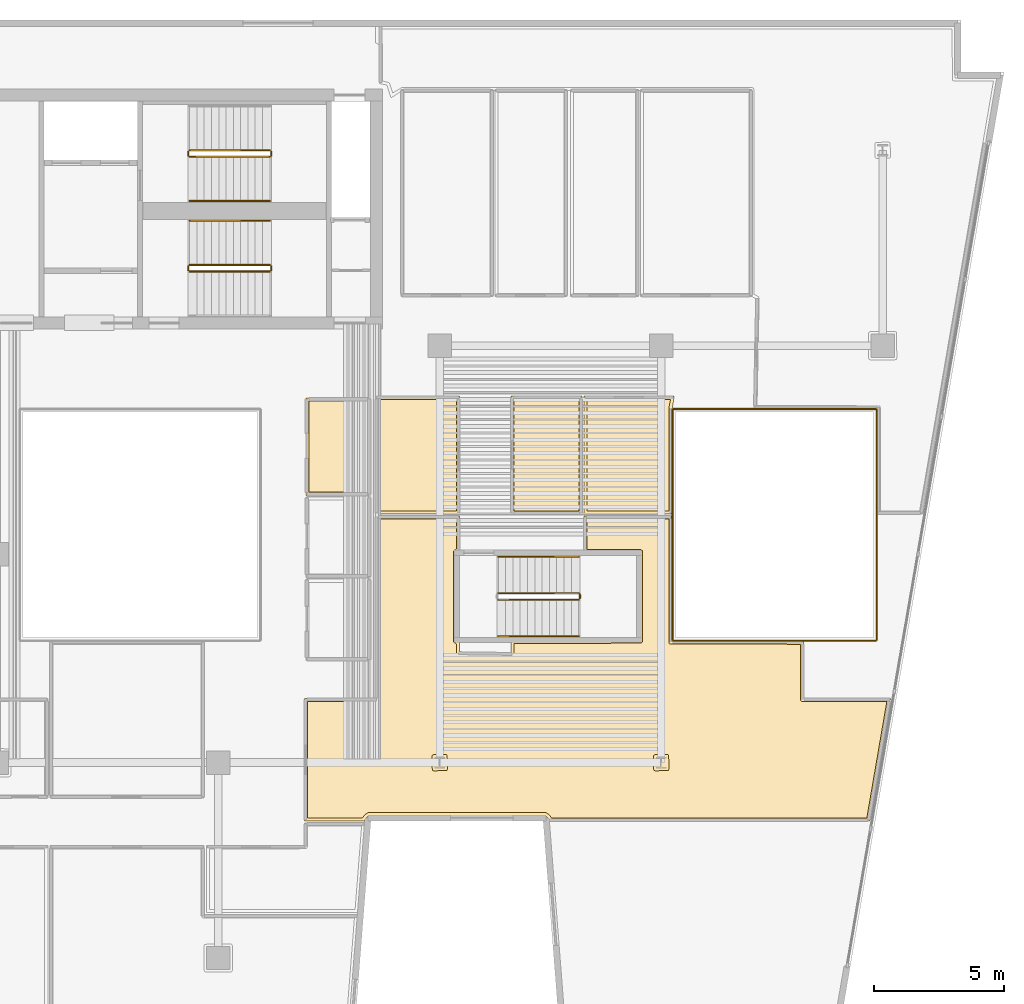
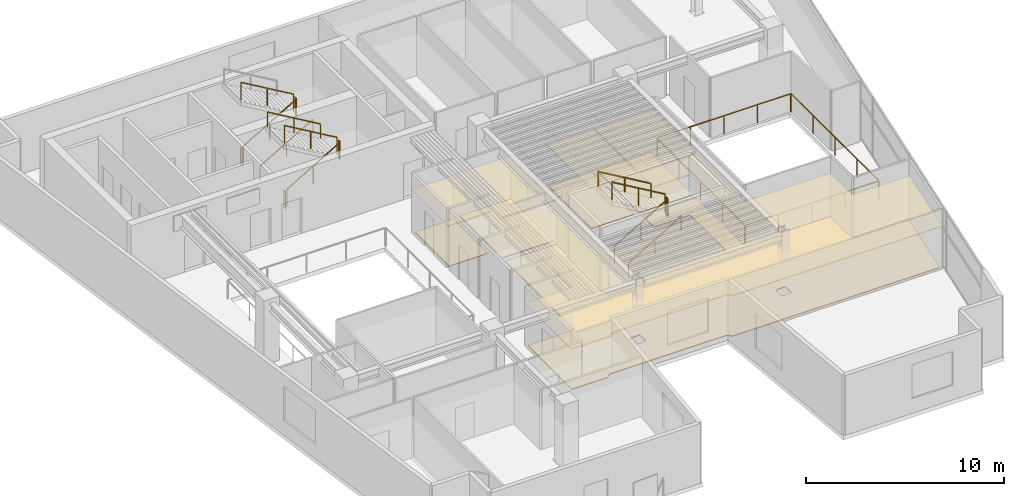
# One storey, part 9 of 10: 19 railings, 10 coverings.
"""IFC4 building model written with IfcOpenShell, lengths in metres."""

import ifcopenshell
import ifcopenshell.guid

model = None  # the IFC model being written
_history = None  # IfcOwnerHistory: only IFC2X3 demands one
_inside = {}  # id of a spatial element -> (the spatial element, [elements in it])
_under = {}  # id of a project, library or spatial element -> (it, [spatial elements below it])
_declared = {}  # id of a project -> (the project, [libraries it declares])
_typed = {}  # id of a type object -> (the type object, [elements of that type])
_made_of = {}  # id of a material, layer set ... -> (it, [elements and type objects made of it])


def new_model(schema):
    """Start an empty IFC model of exactly this schema.

    Asked for "IFC4X3", IfcOpenShell would pick the latest addendum, in which some entities
    have other attributes; the version numbers below select the first issue.
    IFC2X3 requires an IfcOwnerHistory on every rooted entity: one is made here for all.
    """
    global model, _history
    if schema == "IFC4X3":
        model = ifcopenshell.file(schema_version=(4, 3, 0, 0))
    else:
        model = ifcopenshell.file(schema=schema)
    _inside.clear()
    _under.clear()
    _declared.clear()
    _typed.clear()
    _made_of.clear()
    _history = None
    if model.schema == "IFC2X3":
        org = make("IfcOrganization", Name="unknown")
        user = make(
            "IfcPersonAndOrganization",
            ThePerson=make("IfcPerson", FamilyName="unknown"),
            TheOrganization=org,
        )
        app = make(
            "IfcApplication",
            ApplicationDeveloper=org,
            Version="unknown",
            ApplicationFullName="unknown",
            ApplicationIdentifier="unknown",
        )
        _history = make(
            "IfcOwnerHistory",
            OwningUser=user,
            OwningApplication=app,
            ChangeAction="ADDED",
            CreationDate=0,
        )
    return model


def make(cls, **values):
    """One entity of the class cls with the attributes given. An attribute that is None is left unset."""
    return model.create_entity(
        cls, **{name: value for name, value in values.items() if value is not None}
    )


def rooted(cls, **values):
    """An entity with a GlobalId (a new one), such as an element, a storey or a relation."""
    return make(cls, GlobalId=ifcopenshell.guid.new(), OwnerHistory=_history, **values)


def si_unit(unit_type, name, prefix=None):
    """IfcSIUnit, for example si_unit("LENGTHUNIT", "METRE", prefix="MILLI")."""
    return make("IfcSIUnit", UnitType=unit_type, Prefix=prefix, Name=name)


def assignment(units):
    """IfcUnitAssignment: the units of a project."""
    return None if units is None else make("IfcUnitAssignment", Units=units)


def point(xyz):
    """IfcCartesianPoint."""
    return None if xyz is None else make("IfcCartesianPoint", Coordinates=xyz)


def direction(xyz):
    """IfcDirection."""
    return None if xyz is None else make("IfcDirection", DirectionRatios=xyz)


def frame(location, z_axis=None, x_axis=None):
    """IfcAxis2Placement3D, a coordinate frame: its origin and axes. An axis left out is left unset."""
    return make(
        "IfcAxis2Placement3D",
        Location=point(location),
        Axis=direction(z_axis),
        RefDirection=direction(x_axis),
    )


def frame_2d(location, x_axis=None):
    """IfcAxis2Placement2D, a coordinate frame in the plane: its origin and x axis."""
    return make(
        "IfcAxis2Placement2D", Location=point(location), RefDirection=direction(x_axis)
    )


def origin():
    """The frame at (0, 0, 0) with its axes left unset."""
    return frame((0.0, 0.0, 0.0))


def origin_2d():
    """The frame at (0, 0) in the plane with its x axis left unset."""
    return frame_2d((0.0, 0.0))


def place(relative_to, where):
    """IfcLocalPlacement: puts the frame where relative to a parent placement (None: the world)."""
    return make(
        "IfcLocalPlacement", PlacementRelTo=relative_to, RelativePlacement=where
    )


def context(
    kind, dimensions, precision=None, world=None, true_north=None, identifier=None
):
    """IfcGeometricRepresentationContext, for example the 3D "Model" context."""
    return make(
        "IfcGeometricRepresentationContext",
        ContextIdentifier=identifier,
        ContextType=kind,
        CoordinateSpaceDimension=dimensions,
        Precision=precision,
        WorldCoordinateSystem=world,
        TrueNorth=true_north,
    )


def subcontext(parent, identifier, kind, view, scale=None):
    """IfcGeometricRepresentationSubContext, for example "Body" below "Model"."""
    return make(
        "IfcGeometricRepresentationSubContext",
        ContextIdentifier=identifier,
        ContextType=kind,
        ParentContext=parent,
        TargetScale=scale,
        TargetView=view,
    )


def project(units=None, contexts=None):
    """IfcProject with its units and contexts."""
    return rooted(
        "IfcProject",
        Name="project",
        RepresentationContexts=contexts,
        UnitsInContext=assignment(units),
    )


def spatial(cls, under=None, at=None, **own):
    """A site, building, storey or space (cls), placed at a placement, below another one or the project."""
    s = rooted(cls, ObjectPlacement=at, **own)
    if under is not None:
        _under.setdefault(under.id(), (under, []))[1].append(s)
    return s


def polyline(points):
    """IfcPolyline through the points."""
    return make("IfcPolyline", Points=[point(p) for p in points])


def profile(cls, at=None, kind="AREA", **sizes):
    """A parametric profile (cls). Its sizes go by their IFC names, for example OverallWidth=200.0."""
    return make(cls, ProfileType=kind, Position=at, **sizes)


def rectangle(**sizes):
    """IfcRectangleProfileDef."""
    return profile("IfcRectangleProfileDef", **sizes)


def outline(outer, holes=None, kind="AREA"):
    """IfcArbitraryClosedProfileDef: a profile drawn as a closed curve; with holes, ...WithVoids."""
    if holes is None:
        return make("IfcArbitraryClosedProfileDef", ProfileType=kind, OuterCurve=outer)
    return make(
        "IfcArbitraryProfileDefWithVoids",
        ProfileType=kind,
        OuterCurve=outer,
        InnerCurves=holes,
    )


def extrude(swept, where, along, depth):
    """IfcExtrudedAreaSolid: the profile swept, set in the frame where, extruded along a direction by depth."""
    return make(
        "IfcExtrudedAreaSolid",
        SweptArea=swept,
        Position=where,
        ExtrudedDirection=direction(along),
        Depth=depth,
    )


def shape(context_of_items, identifier, shape_type, items):
    """IfcShapeRepresentation: the items that make up one representation, for example the "Body"."""
    return make(
        "IfcShapeRepresentation",
        ContextOfItems=context_of_items,
        RepresentationIdentifier=identifier,
        RepresentationType=shape_type,
        Items=items,
    )


def material(Name=None, Category=None):
    """IfcMaterial."""
    return make("IfcMaterial", Name=Name, Category=Category)


def layer(
    of_material, thickness, ventilated=None, Name=None, Category=None, Priority=None
):
    """IfcMaterialLayer: one layer of a wall or slab, of a material (None: an air gap)."""
    return make(
        "IfcMaterialLayer",
        Material=of_material,
        LayerThickness=thickness,
        IsVentilated=ventilated,
        Name=Name,
        Category=Category,
        Priority=Priority,
    )


def layer_set(layers, Name=None):
    """IfcMaterialLayerSet."""
    return make("IfcMaterialLayerSet", MaterialLayers=layers, LayerSetName=Name)


def made_of(thing, what):
    """Note that an element or type object is made of a material, layer set ...; save() writes the relation."""
    if what is not None:
        _made_of.setdefault(what.id(), (what, []))[1].append(thing)
    return thing


def type_object(cls, material=None, **own):
    """A type object (cls), such as IfcWallType, which elements share."""
    return made_of(rooted(cls, **own), material)


def element(
    cls,
    number,
    at=None,
    inside=None,
    cuts=None,
    type_object=None,
    material=None,
    context=None,
    identifier="Body",
    shape_type=None,
    held_by="IfcProductDefinitionShape",
    body=None,
    shapes=None,
    **own,
):
    """One element of the class cls, such as IfcWall. Its Tag is "e" and its number.

    at: its placement. inside: the storey or other place that contains it. cuts: it is an
    opening in that element (IfcRelVoidsElement). A single representation is given by context,
    identifier, shape_type and body (its items); several are given by shapes. held_by: the class
    of the entity that holds the representations. save() writes the other relations.
    """
    e = rooted(cls, Tag="e%d" % number, ObjectPlacement=at, **own)
    if body is not None:
        shapes = [shape(context, identifier, shape_type, body)]
    if shapes is not None:
        e.Representation = make(held_by, Representations=shapes)
    if inside is not None:
        _inside.setdefault(inside.id(), (inside, []))[1].append(e)
    if cuts is not None:
        rooted(
            "IfcRelVoidsElement", RelatingBuildingElement=cuts, RelatedOpeningElement=e
        )
    if type_object is not None:
        _typed.setdefault(type_object.id(), (type_object, []))[1].append(e)
    return made_of(e, material)


def aggregate(whole, parts):
    """IfcRelAggregates: a whole, such as a stair, and the parts it consists of."""
    return rooted("IfcRelAggregates", RelatingObject=whole, RelatedObjects=parts)


def save(model, path):
    """Write the relations noted so far, then the file.

    IfcRelAggregates (storeys below a building ...), IfcRelContainedInSpatialStructure (elements
    in a storey), IfcRelDefinesByType, IfcRelAssociatesMaterial and IfcRelDeclares: one each for
    every whole, place, type object, material and project.
    """
    for whole, parts in _under.values():
        aggregate(whole, parts)
    for where, things in _inside.values():
        rooted(
            "IfcRelContainedInSpatialStructure",
            RelatedElements=things,
            RelatingStructure=where,
        )
    for kind, things in _typed.values():
        rooted("IfcRelDefinesByType", RelatedObjects=things, RelatingType=kind)
    for what, things in _made_of.values():
        rooted("IfcRelAssociatesMaterial", RelatedObjects=things, RelatingMaterial=what)
    for by, libraries in _declared.values():
        rooted("IfcRelDeclares", RelatingContext=by, RelatedDefinitions=libraries)
    model.write(path)


model = new_model("IFC4")

# Units and contexts
model_context = context("Model", 3, precision=1e-05, world=origin(), true_north=direction((0.0, 1.0)))
body_context = subcontext(model_context, "Body", "Model", "MODEL_VIEW")
ifc_project = project(units=[si_unit("LENGTHUNIT", "METRE"), si_unit("AREAUNIT", "SQUARE_METRE"), si_unit("VOLUMEUNIT", "CUBIC_METRE"), si_unit("PLANEANGLEUNIT", "RADIAN"), si_unit("MASSUNIT", "GRAM", prefix="KILO")], contexts=[model_context])

# Site, building, storey
site_placement = place(None, origin())
site = spatial("IfcSite", under=ifc_project, at=site_placement, CompositionType="ELEMENT")
building_placement = place(site_placement, origin())
building = spatial("IfcBuilding", under=site, at=building_placement, Name="Caeloran Harvest Quay", CompositionType="ELEMENT")
storey_placement = place(building_placement, frame((0.0, 0.0, 223.25)))
storey = spatial("IfcBuildingStorey", under=building, at=storey_placement, Name="L53", CompositionType="ELEMENT", Elevation=223.25)

# Coverings
ifc_material_1 = material(Name="Perforated Mineral-Fibre Acoustic Ceiling Tile", Category="ceiling")
ifc_layer_1 = layer(ifc_material_1, 0.0400390625, Name="Perforated Mineral-Fibre Acoustic Ceiling Tile")
ifc_layer_set_1 = layer_set([ifc_layer_1], Name="Perforated Mineral-Fibre Acoustic Ceiling Tile")
covering_type_1 = type_object("IfcCoveringType", Name="COV-CEILING-ACOUSTIC", PredefinedType="CEILING", material=ifc_layer_set_1)
covering_1_placement = place(storey_placement, frame((0.0, 0.0, 2.60009765625)))
element("IfcCovering", 1, at=covering_1_placement, inside=storey, type_object=covering_type_1, Name="L53 Male Washroom WC Acoustic Ceiling", PredefinedType="CEILING", context=body_context, shape_type="SweptSolid", body=[
    extrude(outline(polyline([(22.840087890625, 28.989990234375), (22.840087890625, 25.260009765625), (20.360107421875, 25.260009765625), (20.360107421875, 28.989990234375), (22.840087890625, 28.989990234375)])), origin(), (0.0, 0.0, 1.0), 0.039794921875),
])
covering_2_placement = place(storey_placement, frame((0.0, 0.0, 2.60009765625)))
element("IfcCovering", 2, at=covering_2_placement, inside=storey, type_object=covering_type_1, Name="Founder Fireside Salon Lounge Acoustic Ceiling", PredefinedType="CEILING", context=body_context, shape_type="SweptSolid", body=[
    extrude(outline(polyline([(33.159912109375, 23.06005859375), (31.0400390625, 23.06005859375), (31.0400390625, 24.4599609375), (34.409912109375, 24.4599609375), (34.409912109375, 19.659912109375), (39.4599609375, 19.659912109375), (39.4599609375, 17.4599609375), (42.801025390625, 17.4599609375), (41.993408203125, 12.760009765625), (29.727294921875, 12.760009765625), (29.64111328125, 12.887451171875), (29.54150390625, 12.969970703125), (22.78515625, 12.969970703125), (22.685302734375, 12.887451171875), (22.59912109375, 12.760009765625), (20.31005859375, 12.760009765625), (20.31005859375, 17.4599609375), (23.0400390625, 17.4599609375), (23.0400390625, 24.4599609375), (26.260009765625, 24.4599609375), (26.260009765625, 23.145751953125), (26.139892578125, 23.05078125), (26.139892578125, 19.69921875), (26.260009765625, 19.604248046875), (26.260009765625, 19.239501953125), (28.239990234375, 19.210693359375), (28.239990234375, 19.68994140625), (33.159912109375, 19.68994140625), (33.159912109375, 23.06005859375)])), origin(), (0.0, 0.0, 1.0), 0.039794921875),
])
covering_3_placement = place(storey_placement, frame((0.0, 0.0, 2.60009765625)))
element("IfcCovering", 3, at=covering_3_placement, inside=storey, type_object=covering_type_1, Name="Refreshment Dining Kitchen Acoustic Ceiling", PredefinedType="CEILING", context=body_context, shape_type="SweptSolid", body=[
    extrude(outline(polyline([(23.0400390625, 29.06005859375), (26.260009765625, 29.06005859375), (26.260009765625, 24.5400390625), (23.0400390625, 24.5400390625), (23.0400390625, 29.06005859375)])), origin(), (0.0, 0.0, 1.0), 0.039794921875),
])
covering_4_placement = place(storey_placement, frame((0.0, 0.0, 2.60009765625)))
element("IfcCovering", 4, at=covering_4_placement, inside=storey, type_object=covering_type_1, Name="Secure Vault Laboratory Acoustic Ceiling", PredefinedType="CEILING", context=body_context, shape_type="SweptSolid", body=[
    extrude(outline(polyline([(28.239990234375, 24.5400390625), (28.239990234375, 29.06005859375), (30.9599609375, 29.06005859375), (30.9599609375, 24.5400390625), (28.239990234375, 24.5400390625)])), origin(), (0.0, 0.0, 1.0), 0.039794921875),
])
covering_5_placement = place(storey_placement, frame((0.0, 0.0, 2.60009765625)))
element("IfcCovering", 5, at=covering_5_placement, inside=storey, type_object=covering_type_1, Name="Clean-Tech Venture Studio 9 Acoustic Ceiling", PredefinedType="CEILING", context=body_context, shape_type="SweptSolid", body=[
    extrude(outline(polyline([(34.409912109375, 28.592041015625), (34.409912109375, 24.5400390625), (31.0400390625, 24.5400390625), (31.0400390625, 29.06005859375), (34.49853515625, 29.06005859375), (34.429931640625, 28.596923828125), (34.409912109375, 28.592041015625)])), origin(), (0.0, 0.0, 1.0), 0.039794921875),
])
ifc_material_2 = material(Name="Calcium-Sulphate Raised Access Floor and Terrazzo Finish", Category="flooring")
ifc_layer_2 = layer(ifc_material_2, 0.050048828125, Name="Calcium-Sulphate Raised Access Floor and Terrazzo Finish")
ifc_layer_set_2 = layer_set([ifc_layer_2], Name="Calcium-Sulphate Raised Access Floor and Terrazzo Finish")
covering_type_2 = type_object("IfcCoveringType", Name="COV-FLOOR-RAISED", PredefinedType="FLOORING", material=ifc_layer_set_2)
covering_6_placement = place(storey_placement, origin())
element("IfcCovering", 6, at=covering_6_placement, inside=storey, type_object=covering_type_2, Name="L53 Male Washroom WC Raised Finish Flooring", PredefinedType="FLOORING", context=body_context, shape_type="SweptSolid", body=[
    extrude(outline(polyline([(22.719970703125, 28.8701171875), (22.719970703125, 25.3798828125), (20.47998046875, 25.3798828125), (20.47998046875, 28.8701171875), (22.719970703125, 28.8701171875)])), origin(), (0.0, 0.0, 1.0), 0.050048828125),
])
covering_7_placement = place(storey_placement, origin())
element("IfcCovering", 7, at=covering_7_placement, inside=storey, type_object=covering_type_2, Name="Founder Fireside Salon Lounge Raised Finish Flooring", PredefinedType="FLOORING", context=body_context, shape_type="SweptSolid", body=[
    extrude(outline(polyline([(22.54296875, 12.8798828125), (20.429931640625, 12.8798828125), (20.429931640625, 17.340087890625), (23.080078125, 17.340087890625), (23.15380859375, 17.389404296875), (23.159912109375, 24.340087890625), (26.139892578125, 24.340087890625), (26.139892578125, 23.20361328125), (26.038818359375, 23.12158203125), (26.02001953125, 23.070068359375), (26.02001953125, 19.679931640625), (26.038818359375, 19.62841796875), (26.139892578125, 19.54638671875), (26.140380859375, 19.192138671875), (26.19580078125, 19.123779296875), (28.294677734375, 19.09130859375), (28.359619140625, 19.162109375), (28.360107421875, 19.570068359375), (33.244384765625, 19.58349609375), (33.280029296875, 19.64990234375), (33.27392578125, 23.130615234375), (33.199951171875, 23.179931640625), (31.159912109375, 23.179931640625), (31.159912109375, 24.340087890625), (34.2900390625, 24.340087890625), (34.2900390625, 19.6201171875), (34.319091796875, 19.55810546875), (39.340087890625, 19.5400390625), (39.340087890625, 17.419921875), (39.37548828125, 17.353515625), (42.65869140625, 17.340087890625), (41.89208984375, 12.8798828125), (29.783447265625, 12.8798828125), (29.709716796875, 12.990478515625), (29.559326171875, 13.090087890625), (22.76708984375, 13.090087890625), (22.616943359375, 12.990478515625), (22.54296875, 12.8798828125)]), holes=[polyline([(34.302490234375, 14.754150390625), (34.284912109375, 15.288818359375), (34.230712890625, 15.317626953125), (33.726318359375, 15.2998046875), (33.697021484375, 15.238037109375), (33.715087890625, 14.711181640625), (33.777099609375, 14.681884765625), (34.273681640625, 14.7001953125), (34.302490234375, 14.754150390625)]), polyline([(25.802490234375, 14.754150390625), (25.784912109375, 15.288818359375), (25.730712890625, 15.317626953125), (25.226318359375, 15.2998046875), (25.197021484375, 15.238037109375), (25.215087890625, 14.711181640625), (25.277099609375, 14.681884765625), (25.773681640625, 14.7001953125), (25.802490234375, 14.754150390625)])]), origin(), (0.0, 0.0, 1.0), 0.050048828125),
])
covering_8_placement = place(storey_placement, origin())
element("IfcCovering", 8, at=covering_8_placement, inside=storey, type_object=covering_type_2, Name="Refreshment Dining Kitchen Raised Finish Flooring", PredefinedType="FLOORING", context=body_context, shape_type="SweptSolid", body=[
    extrude(outline(polyline([(23.159912109375, 28.93994140625), (26.139892578125, 28.93994140625), (26.139892578125, 24.659912109375), (23.159912109375, 24.659912109375), (23.159912109375, 28.93994140625)])), origin(), (0.0, 0.0, 1.0), 0.050048828125),
])
covering_9_placement = place(storey_placement, origin())
element("IfcCovering", 9, at=covering_9_placement, inside=storey, type_object=covering_type_2, Name="Secure Vault Laboratory Raised Finish Flooring", PredefinedType="FLOORING", context=body_context, shape_type="SweptSolid", body=[
    extrude(outline(polyline([(28.360107421875, 24.659912109375), (28.360107421875, 28.93994140625), (30.840087890625, 28.93994140625), (30.840087890625, 24.659912109375), (28.360107421875, 24.659912109375)])), origin(), (0.0, 0.0, 1.0), 0.050048828125),
])
covering_10_placement = place(storey_placement, origin())
element("IfcCovering", 10, at=covering_10_placement, inside=storey, type_object=covering_type_2, Name="Clean-Tech Venture Studio 9 Raised Finish Flooring", PredefinedType="FLOORING", context=body_context, shape_type="SweptSolid", body=[
    extrude(outline(polyline([(34.359619140625, 28.93994140625), (34.2900390625, 28.60009765625), (34.2900390625, 24.659912109375), (31.159912109375, 24.659912109375), (31.159912109375, 28.93994140625), (34.359619140625, 28.93994140625)])), origin(), (0.0, 0.0, 1.0), 0.050048828125),
])

# Railings
ifc_material_3 = material(Name="Powder-Coated Steel Post and Laminated Glass Guardrail", Category="steel")
ifc_layer_3 = layer(ifc_material_3, 0.06005859375, Name="Powder-Coated Steel Post and Laminated Glass Guardrail")
ifc_layer_set_3 = layer_set([ifc_layer_3], Name="Powder-Coated Steel Post and Laminated Glass Guardrail")
railing_type_1 = type_object("IfcRailingType", Name="GUARD-ATRIUM-1150", PredefinedType="GUARDRAIL", material=ifc_layer_set_3)
railing_1_placement = place(storey_placement, frame((34.4619140625, 19.679931640625, 0.0)))
element("IfcRailing", 11, at=railing_1_placement, inside=storey, type_object=railing_type_1, Name="L53 East Botanical Lightwell Guardrail Seg 1", PredefinedType="GUARDRAIL", context=body_context, shape_type="SweptSolid", body=[
    extrude(rectangle(XDim=0.048095703125, YDim=0.048095703125, at=origin_2d()), frame((0.0, 0.0, 1.1259765625), z_axis=(1.0, 0.0, 0.0), x_axis=(0.0, 1.0, 0.0)), (0.0, 0.0, 1.0), 7.776123046875),
    extrude(rectangle(XDim=0.0419921875, YDim=0.0419921875, at=origin_2d()), origin(), (0.0, 0.0, 1.0), 1.101806640625),
    extrude(rectangle(XDim=0.0419921875, YDim=0.0419921875, at=origin_2d()), frame((1.944091796875, 0.0, 0.0)), (0.0, 0.0, 1.0), 1.101806640625),
    extrude(rectangle(XDim=0.0419921875, YDim=0.0419921875, at=origin_2d()), frame((3.88818359375, 0.0, 0.0)), (0.0, 0.0, 1.0), 1.101806640625),
    extrude(rectangle(XDim=0.0419921875, YDim=0.0419921875, at=origin_2d()), frame((5.83203125, 0.0, 0.0)), (0.0, 0.0, 1.0), 1.101806640625),
    extrude(rectangle(XDim=0.0419921875, YDim=0.0419921875, at=origin_2d()), frame((7.776123046875, 0.0, 0.0)), (0.0, 0.0, 1.0), 1.101806640625),
])
railing_2_placement = place(storey_placement, frame((42.27001953125, 19.7119140625, 0.0)))
element("IfcRailing", 12, at=railing_2_placement, inside=storey, type_object=railing_type_1, Name="L53 East Botanical Lightwell Guardrail Seg 2", PredefinedType="GUARDRAIL", context=body_context, shape_type="SweptSolid", body=[
    extrude(rectangle(XDim=0.048095703125, YDim=0.048095703125, at=origin_2d()), frame((0.0, 0.0, 1.1259765625), z_axis=(0.0, 1.0, 0.0), x_axis=(-1.0, 0.0, 0.0)), (0.0, 0.0, 1.0), 8.826171875),
    extrude(rectangle(XDim=0.0419921875, YDim=0.0419921875, at=origin_2d()), origin(), (0.0, 0.0, 1.0), 1.101806640625),
    extrude(rectangle(XDim=0.0419921875, YDim=0.0419921875, at=origin_2d()), frame((0.0, 2.20654296875, 0.0)), (0.0, 0.0, 1.0), 1.101806640625),
    extrude(rectangle(XDim=0.0419921875, YDim=0.0419921875, at=origin_2d()), frame((0.0, 4.4130859375, 0.0)), (0.0, 0.0, 1.0), 1.101806640625),
    extrude(rectangle(XDim=0.0419921875, YDim=0.0419921875, at=origin_2d()), frame((0.0, 6.61962890625, 0.0)), (0.0, 0.0, 1.0), 1.101806640625),
    extrude(rectangle(XDim=0.0419921875, YDim=0.0419921875, at=origin_2d()), frame((0.0, 8.826171875, 0.0)), (0.0, 0.0, 1.0), 1.101806640625),
])
railing_3_placement = place(storey_placement, frame((42.238037109375, 28.570068359375, 0.0)))
element("IfcRailing", 13, at=railing_3_placement, inside=storey, type_object=railing_type_1, Name="L53 East Botanical Lightwell Guardrail Seg 3", PredefinedType="GUARDRAIL", context=body_context, shape_type="SweptSolid", body=[
    extrude(rectangle(XDim=0.048095703125, YDim=0.048095703125, at=origin_2d()), frame((0.0, 0.0, 1.1259765625), z_axis=(-1.0, 0.0, 0.0), x_axis=(0.0, -1.0, 0.0)), (0.0, 0.0, 1.0), 7.776123046875),
    extrude(rectangle(XDim=0.0419921875, YDim=0.0419921875, at=origin_2d()), origin(), (0.0, 0.0, 1.0), 1.101806640625),
    extrude(rectangle(XDim=0.0419921875, YDim=0.0419921875, at=origin_2d()), frame((-1.944091796875, 0.0, 0.0)), (0.0, 0.0, 1.0), 1.101806640625),
    extrude(rectangle(XDim=0.0419921875, YDim=0.0419921875, at=origin_2d()), frame((-3.88818359375, 0.0, 0.0)), (0.0, 0.0, 1.0), 1.101806640625),
    extrude(rectangle(XDim=0.0419921875, YDim=0.0419921875, at=origin_2d()), frame((-5.83203125, 0.0, 0.0)), (0.0, 0.0, 1.0), 1.101806640625),
    extrude(rectangle(XDim=0.0419921875, YDim=0.0419921875, at=origin_2d()), frame((-7.776123046875, 0.0, 0.0)), (0.0, 0.0, 1.0), 1.101806640625),
])
railing_4_placement = place(storey_placement, frame((34.429931640625, 28.5380859375, 0.0)))
element("IfcRailing", 14, at=railing_4_placement, inside=storey, type_object=railing_type_1, Name="L53 East Botanical Lightwell Guardrail Seg 4", PredefinedType="GUARDRAIL", context=body_context, shape_type="SweptSolid", body=[
    extrude(rectangle(XDim=0.048095703125, YDim=0.048095703125, at=origin_2d()), frame((0.0, 0.0, 1.1259765625), z_axis=(0.0, -1.0, 0.0), x_axis=(1.0, 0.0, 0.0)), (0.0, 0.0, 1.0), 8.826171875),
    extrude(rectangle(XDim=0.0419921875, YDim=0.0419921875, at=origin_2d()), origin(), (0.0, 0.0, 1.0), 1.101806640625),
    extrude(rectangle(XDim=0.0419921875, YDim=0.0419921875, at=origin_2d()), frame((0.0, -2.20654296875, 0.0)), (0.0, 0.0, 1.0), 1.101806640625),
    extrude(rectangle(XDim=0.0419921875, YDim=0.0419921875, at=origin_2d()), frame((0.0, -4.4130859375, 0.0)), (0.0, 0.0, 1.0), 1.101806640625),
    extrude(rectangle(XDim=0.0419921875, YDim=0.0419921875, at=origin_2d()), frame((0.0, -6.61962890625, 0.0)), (0.0, 0.0, 1.0), 1.101806640625),
    extrude(rectangle(XDim=0.0419921875, YDim=0.0419921875, at=origin_2d()), frame((0.0, -8.826171875, 0.0)), (0.0, 0.0, 1.0), 1.101806640625),
])
ifc_material_4 = material(Name="Painted Steel Baluster and Top-Rail Stair Guard", Category="steel")
ifc_layer_4 = layer(ifc_material_4, 0.050048828125, Name="Painted Steel Baluster and Top-Rail Stair Guard")
ifc_layer_set_4 = layer_set([ifc_layer_4], Name="Painted Steel Baluster and Top-Rail Stair Guard")
railing_type_2 = type_object("IfcRailingType", Name="STAIR-GUARD-1100", PredefinedType="GUARDRAIL", material=ifc_layer_set_4)
railing_5_placement = place(storey_placement, frame((15.89990234375, 38.25, 0.16455078125)))
element("IfcRailing", 15, at=railing_5_placement, inside=storey, type_object=railing_type_2, Name="L53 ST-C1 stair guard 1", PredefinedType="GUARDRAIL", context=body_context, shape_type="SweptSolid", body=[
    extrude(rectangle(XDim=0.048095703125, YDim=0.048095703125, at=origin_2d()), frame((0.0, 0.0, 1.076171875), z_axis=(0.862088758681, 0.0, 0.506757310905), x_axis=(0.0, 1.0, 0.0)), (0.0, 0.0, 1.0), 3.57275390625),
    extrude(rectangle(XDim=0.0419921875, YDim=0.0419921875, at=origin_2d()), origin(), (0.0, 0.0, 1.0), 1.052001953125),
    extrude(rectangle(XDim=0.0419921875, YDim=0.0419921875, at=origin_2d()), frame((1.5400390625, 0.0, 0.9052734375)), (0.0, 0.0, 1.0), 1.052001953125),
    extrude(rectangle(XDim=0.0419921875, YDim=0.0419921875, at=origin_2d()), frame((3.080078125, 0.0, 1.810546875)), (0.0, 0.0, 1.0), 1.052001953125),
])
railing_6_placement = place(storey_placement, frame((19.030029296875, 38.300048828125, 1.97509765625)))
element("IfcRailing", 16, at=railing_6_placement, inside=storey, type_object=railing_type_2, Name="L53 ST-C1 stair guard 2", PredefinedType="GUARDRAIL", context=body_context, shape_type="SweptSolid", body=[
    extrude(rectangle(XDim=0.048095703125, YDim=0.048095703125, at=origin_2d()), frame((0.0, 0.0, 1.076171875), z_axis=(0.0, 1.0, 0.0), x_axis=(-1.0, 0.0, 0.0)), (0.0, 0.0, 1.0), 0.14990234375),
    extrude(rectangle(XDim=0.0419921875, YDim=0.0419921875, at=origin_2d()), origin(), (0.0, 0.0, 1.0), 1.052001953125),
    extrude(rectangle(XDim=0.0419921875, YDim=0.0419921875, at=origin_2d()), frame((0.0, 0.14990234375, 0.0)), (0.0, 0.0, 1.0), 1.052001953125),
])
railing_7_placement = place(storey_placement, frame((18.97998046875, 38.5, 2.1396484375)))
element("IfcRailing", 17, at=railing_7_placement, inside=storey, type_object=railing_type_2, Name="L53 ST-C1 stair guard 3", PredefinedType="GUARDRAIL", context=body_context, shape_type="SweptSolid", body=[
    extrude(rectangle(XDim=0.048095703125, YDim=0.048095703125, at=origin_2d()), frame((0.0, 0.0, 1.076171875), z_axis=(-0.862118610829, 0.0, 0.506706523406), x_axis=(0.0, -1.0, 0.0)), (0.0, 0.0, 1.0), 3.57275390625),
    extrude(rectangle(XDim=0.0419921875, YDim=0.0419921875, at=origin_2d()), origin(), (0.0, 0.0, 1.0), 1.052001953125),
    extrude(rectangle(XDim=0.0419921875, YDim=0.0419921875, at=origin_2d()), frame((-1.5400390625, 0.0, 0.9052734375)), (0.0, 0.0, 1.0), 1.052001953125),
    extrude(rectangle(XDim=0.0419921875, YDim=0.0419921875, at=origin_2d()), frame((-3.080078125, 0.0, 1.810302734375)), (0.0, 0.0, 1.0), 1.052001953125),
])
railing_8_placement = place(storey_placement, frame((15.85009765625, 38.300048828125, 0.0)))
element("IfcRailing", 18, at=railing_8_placement, inside=storey, type_object=railing_type_2, Name="L53 ST-C1 stair guard 4", PredefinedType="GUARDRAIL", context=body_context, shape_type="SweptSolid", body=[
    extrude(rectangle(XDim=0.048095703125, YDim=0.048095703125, at=origin_2d()), frame((0.0, 0.0, 1.076171875), z_axis=(0.0, 1.0, 0.0), x_axis=(-1.0, 0.0, 0.0)), (0.0, 0.0, 1.0), 0.14990234375),
    extrude(rectangle(XDim=0.0419921875, YDim=0.0419921875, at=origin_2d()), origin(), (0.0, 0.0, 1.0), 1.052001953125),
    extrude(rectangle(XDim=0.0419921875, YDim=0.0419921875, at=origin_2d()), frame((0.0, 0.14990234375, 0.0)), (0.0, 0.0, 1.0), 1.052001953125),
])
railing_9_placement = place(storey_placement, frame((15.89990234375, 33.85009765625, 0.16455078125)))
element("IfcRailing", 19, at=railing_9_placement, inside=storey, type_object=railing_type_2, Name="L53 ST-C2 stair guard 1", PredefinedType="GUARDRAIL", context=body_context, shape_type="SweptSolid", body=[
    extrude(rectangle(XDim=0.048095703125, YDim=0.048095703125, at=origin_2d()), frame((0.0, 0.0, 1.076171875), z_axis=(0.862088758681, 0.0, 0.506757310905), x_axis=(0.0, 1.0, 0.0)), (0.0, 0.0, 1.0), 3.57275390625),
    extrude(rectangle(XDim=0.0419921875, YDim=0.0419921875, at=origin_2d()), origin(), (0.0, 0.0, 1.0), 1.052001953125),
    extrude(rectangle(XDim=0.0419921875, YDim=0.0419921875, at=origin_2d()), frame((1.5400390625, 0.0, 0.9052734375)), (0.0, 0.0, 1.0), 1.052001953125),
    extrude(rectangle(XDim=0.0419921875, YDim=0.0419921875, at=origin_2d()), frame((3.080078125, 0.0, 1.810546875)), (0.0, 0.0, 1.0), 1.052001953125),
])
railing_10_placement = place(storey_placement, frame((19.030029296875, 33.89990234375, 1.97509765625)))
element("IfcRailing", 20, at=railing_10_placement, inside=storey, type_object=railing_type_2, Name="L53 ST-C2 stair guard 2", PredefinedType="GUARDRAIL", context=body_context, shape_type="SweptSolid", body=[
    extrude(rectangle(XDim=0.048095703125, YDim=0.048095703125, at=origin_2d()), frame((0.0, 0.0, 1.076171875), z_axis=(0.0, 1.0, 0.0), x_axis=(-1.0, 0.0, 0.0)), (0.0, 0.0, 1.0), 0.150146484375),
    extrude(rectangle(XDim=0.0419921875, YDim=0.0419921875, at=origin_2d()), origin(), (0.0, 0.0, 1.0), 1.052001953125),
    extrude(rectangle(XDim=0.0419921875, YDim=0.0419921875, at=origin_2d()), frame((0.0, 0.150146484375, 0.0)), (0.0, 0.0, 1.0), 1.052001953125),
])
railing_11_placement = place(storey_placement, frame((18.97998046875, 34.10009765625, 2.1396484375)))
element("IfcRailing", 21, at=railing_11_placement, inside=storey, type_object=railing_type_2, Name="L53 ST-C2 stair guard 3", PredefinedType="GUARDRAIL", context=body_context, shape_type="SweptSolid", body=[
    extrude(rectangle(XDim=0.048095703125, YDim=0.048095703125, at=origin_2d()), frame((0.0, 0.0, 1.076171875), z_axis=(-0.862118610829, 0.0, 0.506706523406), x_axis=(0.0, -1.0, 0.0)), (0.0, 0.0, 1.0), 3.57275390625),
    extrude(rectangle(XDim=0.0419921875, YDim=0.0419921875, at=origin_2d()), origin(), (0.0, 0.0, 1.0), 1.052001953125),
    extrude(rectangle(XDim=0.0419921875, YDim=0.0419921875, at=origin_2d()), frame((-1.5400390625, 0.0, 0.9052734375)), (0.0, 0.0, 1.0), 1.052001953125),
    extrude(rectangle(XDim=0.0419921875, YDim=0.0419921875, at=origin_2d()), frame((-3.080078125, 0.0, 1.810302734375)), (0.0, 0.0, 1.0), 1.052001953125),
])
railing_12_placement = place(storey_placement, frame((15.85009765625, 33.89990234375, 0.0)))
element("IfcRailing", 22, at=railing_12_placement, inside=storey, type_object=railing_type_2, Name="L53 ST-C2 stair guard 4", PredefinedType="GUARDRAIL", context=body_context, shape_type="SweptSolid", body=[
    extrude(rectangle(XDim=0.048095703125, YDim=0.048095703125, at=origin_2d()), frame((0.0, 0.0, 1.076171875), z_axis=(0.0, 1.0, 0.0), x_axis=(-1.0, 0.0, 0.0)), (0.0, 0.0, 1.0), 0.150146484375),
    extrude(rectangle(XDim=0.0419921875, YDim=0.0419921875, at=origin_2d()), origin(), (0.0, 0.0, 1.0), 1.052001953125),
    extrude(rectangle(XDim=0.0419921875, YDim=0.0419921875, at=origin_2d()), frame((0.0, 0.150146484375, 0.0)), (0.0, 0.0, 1.0), 1.052001953125),
])
railing_13_placement = place(storey_placement, frame((27.75, 21.25, 0.16455078125)))
element("IfcRailing", 23, at=railing_13_placement, inside=storey, type_object=railing_type_2, Name="L53 ST-W1 stair guard 1", PredefinedType="GUARDRAIL", context=body_context, shape_type="SweptSolid", body=[
    extrude(rectangle(XDim=0.048095703125, YDim=0.048095703125, at=origin_2d()), frame((0.0, 0.0, 1.076171875), z_axis=(0.862088758681, 0.0, 0.506757310905), x_axis=(0.0, 1.0, 0.0)), (0.0, 0.0, 1.0), 3.57275390625),
    extrude(rectangle(XDim=0.0419921875, YDim=0.0419921875, at=origin_2d()), origin(), (0.0, 0.0, 1.0), 1.052001953125),
    extrude(rectangle(XDim=0.0419921875, YDim=0.0419921875, at=origin_2d()), frame((1.5400390625, 0.0, 0.9052734375)), (0.0, 0.0, 1.0), 1.052001953125),
    extrude(rectangle(XDim=0.0419921875, YDim=0.0419921875, at=origin_2d()), frame((3.080078125, 0.0, 1.810546875)), (0.0, 0.0, 1.0), 1.052001953125),
])
railing_14_placement = place(storey_placement, frame((30.8798828125, 21.300048828125, 1.97509765625)))
element("IfcRailing", 24, at=railing_14_placement, inside=storey, type_object=railing_type_2, Name="L53 ST-W1 stair guard 2", PredefinedType="GUARDRAIL", context=body_context, shape_type="SweptSolid", body=[
    extrude(rectangle(XDim=0.048095703125, YDim=0.048095703125, at=origin_2d()), frame((0.0, 0.0, 1.076171875), z_axis=(0.0, 1.0, 0.0), x_axis=(-1.0, 0.0, 0.0)), (0.0, 0.0, 1.0), 0.14990234375),
    extrude(rectangle(XDim=0.0419921875, YDim=0.0419921875, at=origin_2d()), origin(), (0.0, 0.0, 1.0), 1.052001953125),
    extrude(rectangle(XDim=0.0419921875, YDim=0.0419921875, at=origin_2d()), frame((0.0, 0.14990234375, 0.0)), (0.0, 0.0, 1.0), 1.052001953125),
])
railing_15_placement = place(storey_placement, frame((30.830078125, 21.5, 2.1396484375)))
element("IfcRailing", 25, at=railing_15_placement, inside=storey, type_object=railing_type_2, Name="L53 ST-W1 stair guard 3", PredefinedType="GUARDRAIL", context=body_context, shape_type="SweptSolid", body=[
    extrude(rectangle(XDim=0.048095703125, YDim=0.048095703125, at=origin_2d()), frame((0.0, 0.0, 1.076171875), z_axis=(-0.862118610829, 0.0, 0.506706523406), x_axis=(0.0, -1.0, 0.0)), (0.0, 0.0, 1.0), 3.57275390625),
    extrude(rectangle(XDim=0.0419921875, YDim=0.0419921875, at=origin_2d()), origin(), (0.0, 0.0, 1.0), 1.052001953125),
    extrude(rectangle(XDim=0.0419921875, YDim=0.0419921875, at=origin_2d()), frame((-1.5400390625, 0.0, 0.9052734375)), (0.0, 0.0, 1.0), 1.052001953125),
    extrude(rectangle(XDim=0.0419921875, YDim=0.0419921875, at=origin_2d()), frame((-3.080078125, 0.0, 1.810302734375)), (0.0, 0.0, 1.0), 1.052001953125),
])
ifc_material_5 = material(Name="Brushed Stainless Steel Grade 304", Category="steel")
ifc_layer_5 = layer(ifc_material_5, 0.050048828125, Name="Brushed Stainless Steel Grade 304")
ifc_layer_set_5 = layer_set([ifc_layer_5], Name="Brushed Stainless Steel Grade 304")
railing_type_3 = type_object("IfcRailingType", Name="STAIR-HANDRAIL-900", PredefinedType="HANDRAIL", material=ifc_layer_set_5)
railing_16_placement = place(storey_placement, frame((15.89990234375, 36.550048828125, 0.16455078125)))
element("IfcRailing", 26, at=railing_16_placement, inside=storey, type_object=railing_type_3, Name="L53 ST-C1 stair handrail 1", PredefinedType="HANDRAIL", context=body_context, shape_type="SweptSolid", body=[
    extrude(rectangle(XDim=0.048095703125, YDim=0.048095703125, at=origin_2d()), frame((0.0, 0.0, 0.8759765625), z_axis=(0.862088758681, 0.0, 0.506757310905), x_axis=(0.0, 1.0, 0.0)), (0.0, 0.0, 1.0), 3.57275390625),
    extrude(rectangle(XDim=0.0419921875, YDim=0.0419921875, at=origin_2d()), origin(), (0.0, 0.0, 1.0), 0.851806640625),
    extrude(rectangle(XDim=0.0419921875, YDim=0.0419921875, at=origin_2d()), frame((1.5400390625, 0.0, 0.9052734375)), (0.0, 0.0, 1.0), 0.851806640625),
    extrude(rectangle(XDim=0.0419921875, YDim=0.0419921875, at=origin_2d()), frame((3.080078125, 0.0, 1.810546875)), (0.0, 0.0, 1.0), 0.851806640625),
])
railing_17_placement = place(storey_placement, frame((18.97998046875, 35.800048828125, 2.1396484375)))
element("IfcRailing", 27, at=railing_17_placement, inside=storey, type_object=railing_type_3, Name="L53 ST-C2 stair handrail 2", PredefinedType="HANDRAIL", context=body_context, shape_type="SweptSolid", body=[
    extrude(rectangle(XDim=0.048095703125, YDim=0.048095703125, at=origin_2d()), frame((0.0, 0.0, 0.8759765625), z_axis=(-0.862118610829, 0.0, 0.506706523406), x_axis=(0.0, -1.0, 0.0)), (0.0, 0.0, 1.0), 3.57275390625),
    extrude(rectangle(XDim=0.0419921875, YDim=0.0419921875, at=origin_2d()), origin(), (0.0, 0.0, 1.0), 0.851806640625),
    extrude(rectangle(XDim=0.0419921875, YDim=0.0419921875, at=origin_2d()), frame((-1.5400390625, 0.0, 0.9052734375)), (0.0, 0.0, 1.0), 0.851806640625),
    extrude(rectangle(XDim=0.0419921875, YDim=0.0419921875, at=origin_2d()), frame((-3.080078125, 0.0, 1.810302734375)), (0.0, 0.0, 1.0), 0.851806640625),
])
railing_18_placement = place(storey_placement, frame((27.75, 19.85009765625, 0.16455078125)))
element("IfcRailing", 28, at=railing_18_placement, inside=storey, type_object=railing_type_3, Name="L53 ST-W1 stair handrail 1", PredefinedType="HANDRAIL", context=body_context, shape_type="SweptSolid", body=[
    extrude(rectangle(XDim=0.048095703125, YDim=0.048095703125, at=origin_2d()), frame((0.0, 0.0, 0.8759765625), z_axis=(0.862088758681, 0.0, 0.506757310905), x_axis=(0.0, 1.0, 0.0)), (0.0, 0.0, 1.0), 3.57275390625),
    extrude(rectangle(XDim=0.0419921875, YDim=0.0419921875, at=origin_2d()), origin(), (0.0, 0.0, 1.0), 0.851806640625),
    extrude(rectangle(XDim=0.0419921875, YDim=0.0419921875, at=origin_2d()), frame((1.5400390625, 0.0, 0.9052734375)), (0.0, 0.0, 1.0), 0.851806640625),
    extrude(rectangle(XDim=0.0419921875, YDim=0.0419921875, at=origin_2d()), frame((3.080078125, 0.0, 1.810546875)), (0.0, 0.0, 1.0), 0.851806640625),
])
railing_19_placement = place(storey_placement, frame((30.830078125, 22.89990234375, 2.1396484375)))
element("IfcRailing", 29, at=railing_19_placement, inside=storey, type_object=railing_type_3, Name="L53 ST-W1 stair handrail 2", PredefinedType="HANDRAIL", context=body_context, shape_type="SweptSolid", body=[
    extrude(rectangle(XDim=0.048095703125, YDim=0.048095703125, at=origin_2d()), frame((0.0, 0.0, 0.8759765625), z_axis=(-0.862118610829, 0.0, 0.506706523406), x_axis=(0.0, -1.0, 0.0)), (0.0, 0.0, 1.0), 3.57275390625),
    extrude(rectangle(XDim=0.0419921875, YDim=0.0419921875, at=origin_2d()), origin(), (0.0, 0.0, 1.0), 0.851806640625),
    extrude(rectangle(XDim=0.0419921875, YDim=0.0419921875, at=origin_2d()), frame((-1.5400390625, 0.0, 0.9052734375)), (0.0, 0.0, 1.0), 0.851806640625),
    extrude(rectangle(XDim=0.0419921875, YDim=0.0419921875, at=origin_2d()), frame((-3.080078125, 0.0, 1.810302734375)), (0.0, 0.0, 1.0), 0.851806640625),
])

save(model, "model.ifc")
